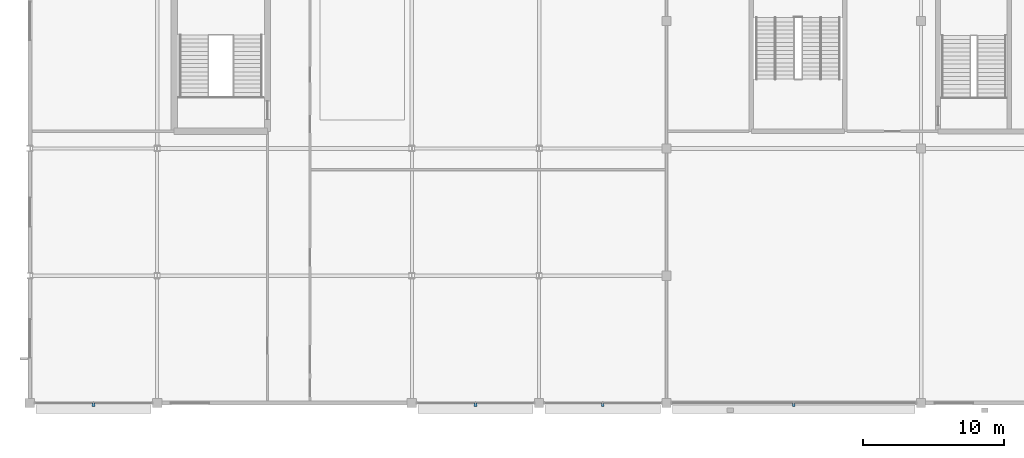
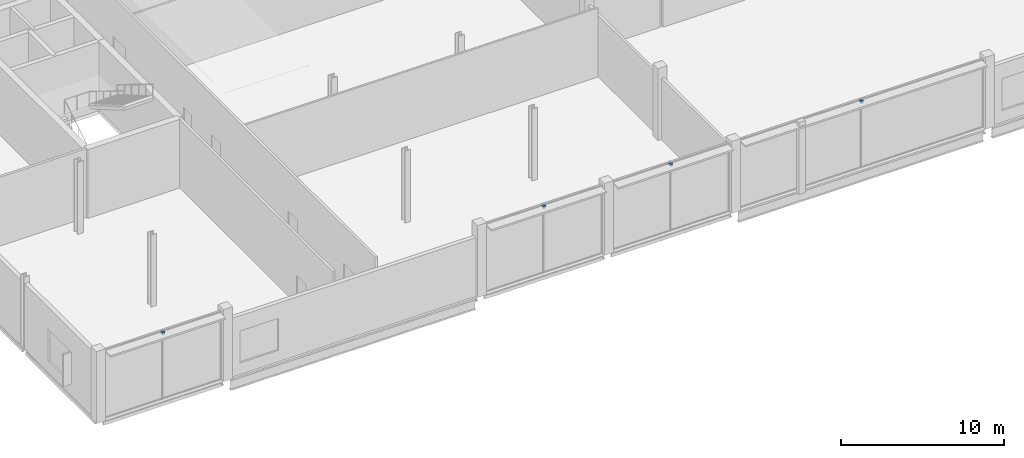
# One storey, part 70 of 111: 4 discrete accessories.
"""IFC4 building model written with IfcOpenShell, lengths in metres."""

from ifc_helpers import new_model, si_unit, direction, frame, origin, origin_2d, place, context, subcontext, project, spatial, rectangle, extrude, material, type_object, element, save


model = new_model("IFC4")

# Units and contexts
model_context = context("Model", 3, precision=1e-05, world=origin(), true_north=direction((0.0, 1.0)))
body_context = subcontext(model_context, "Body", "Model", "MODEL_VIEW")
ifc_project = project(units=[si_unit("LENGTHUNIT", "METRE"), si_unit("AREAUNIT", "SQUARE_METRE"), si_unit("VOLUMEUNIT", "CUBIC_METRE"), si_unit("PLANEANGLEUNIT", "RADIAN"), si_unit("MASSUNIT", "GRAM", prefix="KILO")], contexts=[model_context])

# Site, building, storey
site_placement = place(None, origin())
site = spatial("IfcSite", under=ifc_project, at=site_placement, CompositionType="ELEMENT")
building_placement = place(site_placement, origin())
building = spatial("IfcBuilding", under=site, at=building_placement, Name="Kisiwana Market Hall", CompositionType="ELEMENT")
storey_placement = place(building_placement, frame((0.0, 0.0, 11.39990234375)))
storey = spatial("IfcBuildingStorey", under=building, at=storey_placement, Name="L02", CompositionType="ELEMENT", Elevation=11.39990234375)

# Discrete accessories
ifc_material = material(Name="Steel S355", Category="steel")
discrete_accessory_type = type_object("IfcDiscreteAccessoryType", Name="ACC-BRACKET-STL", PredefinedType="BRACKET", material=ifc_material)
for number, where, z_axis, x_axis, name in (
    (1, (4.5, -0.110107421875, 4.93994140625), (0.0, 0.0, 1.0), (1.0, 0.0, 0.0), "Sunshade steel bracket BRK-033"),
    (2, (31.5, -0.110107421875, 4.93994140625), (0.0, 0.0, 1.0), (1.0, 0.0, 0.0), "Sunshade steel bracket BRK-034"),
    (3, (40.5, -0.110107421875, 4.93994140625), (0.0, 0.0, 1.0), (1.0, 0.0, 0.0), "Sunshade steel bracket BRK-035"),
    (4, (54.0, -0.110107421875, 4.93994140625), (0.0, 0.0, 1.0), (1.0, 0.0, 0.0), "Sunshade steel bracket BRK-036"),
):
    element("IfcDiscreteAccessory", number, at=place(storey_placement, frame(where, z_axis=z_axis, x_axis=x_axis)), inside=storey, type_object=discrete_accessory_type, Name=name, PredefinedType="BRACKET", context=body_context, shape_type="SweptSolid", body=[
        extrude(rectangle(XDim=0.179931640625, YDim=0.239990234375, at=origin_2d()), origin(), (0.0, 0.0, 1.0), 0.179931640625),
    ])

save(model, "model.ifc")
